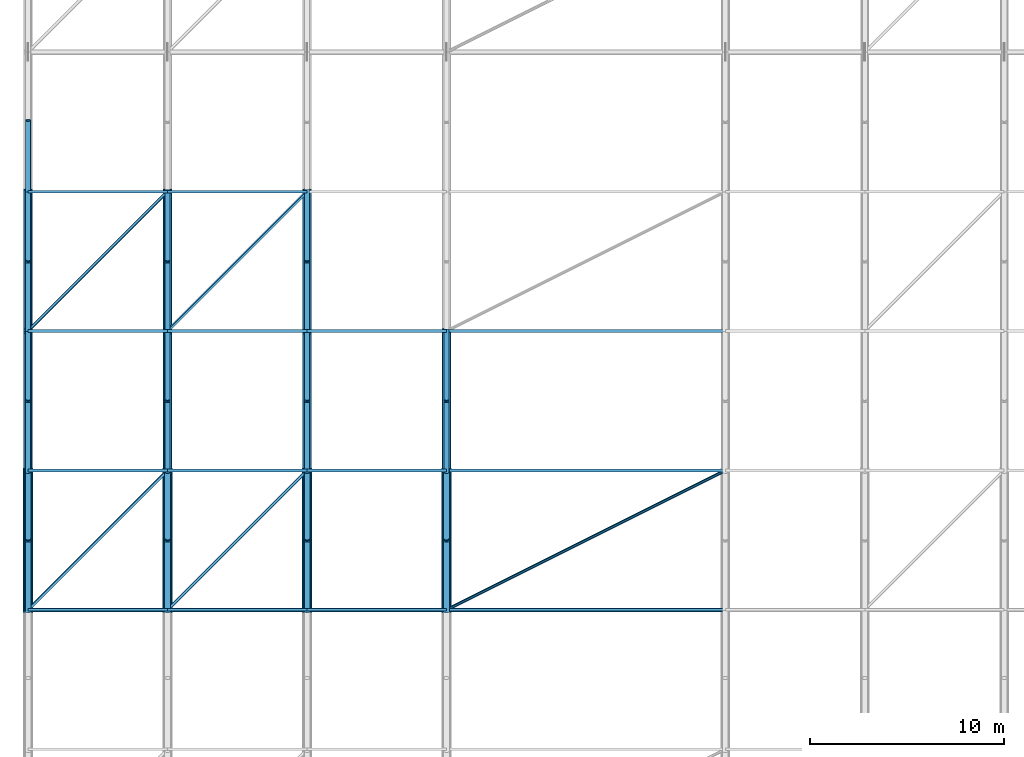
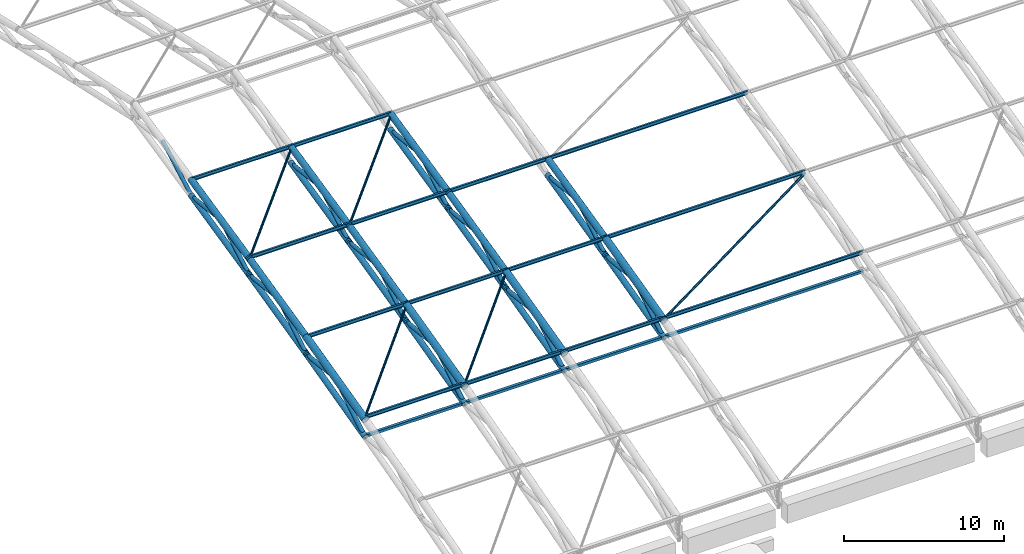
# One storey, part 40 of 193: 68 members.
"""IFC4 building model written with IfcOpenShell, lengths in metres."""

from ifc_helpers import new_model, si_unit, direction, frame, origin, origin_2d, place, context, subcontext, project, spatial, hollow_rectangle, hollow_circle, i_section, extrude, material, material_profile, profile_set, type_object, element, save


model = new_model("IFC4")

# Units and contexts
model_context = context("Model", 3, precision=1e-05, world=origin(), true_north=direction((0.0, 1.0)))
body_context = subcontext(model_context, "Body", "Model", "MODEL_VIEW")
ifc_project = project(units=[si_unit("LENGTHUNIT", "METRE"), si_unit("AREAUNIT", "SQUARE_METRE"), si_unit("VOLUMEUNIT", "CUBIC_METRE"), si_unit("PLANEANGLEUNIT", "RADIAN"), si_unit("MASSUNIT", "GRAM", prefix="KILO")], contexts=[model_context])

# Site, building, storey
site_placement = place(None, origin())
site = spatial("IfcSite", under=ifc_project, at=site_placement, CompositionType="ELEMENT")
building_placement = place(site_placement, origin())
building = spatial("IfcBuilding", under=site, at=building_placement, Name="Cendralis Lancet Convention Centre", CompositionType="ELEMENT")
storey_placement = place(building_placement, frame((0.0, 0.0, 10.199951171875)))
storey = spatial("IfcBuildingStorey", under=building, at=storey_placement, Name="L02", CompositionType="ELEMENT", Elevation=10.199951171875)

# Members
ifc_material = material(Name="Steel S355", Category="steel")
ifc_material_profile_1 = material_profile(ifc_material, hollow_circle(Radius=0.084228515625, WallThickness=0.008056640625, at=origin_2d()), Name="CHS 168.3x8.0")
ifc_profile_set_1 = profile_set([ifc_material_profile_1], Name="Steel S355")
member_type_1 = type_object("IfcMemberType", Name="STR-BR-RB01", PredefinedType="BRACE", material=ifc_profile_set_1)
member_1_placement = place(storey_placement, frame((0.0, 64.800048828125, 7.576416015625), z_axis=(0.696392758522, 0.696392758522, 0.173419294652), x_axis=(-0.707106781187, 0.707106781187, 0.0)))
element("IfcMember", 1, at=member_1_placement, inside=storey, type_object=member_type_1, Name="Roof Diaphragm Brace RB01 V1-00-02A", PredefinedType="BRACE", context=body_context, shape_type="SweptSolid", body=[
    extrude(hollow_circle(Radius=0.084228515625, WallThickness=0.008056640625, at=origin_2d()), origin(), (0.0, 0.0, 1.0), 10.3388671875),
])
member_2_placement = place(storey_placement, frame((0.0, 79.199951171875, 11.056884765625), z_axis=(0.698500909513, 0.698500909513, 0.155540859), x_axis=(-0.707106781187, 0.707106781187, 0.0)))
element("IfcMember", 2, at=member_2_placement, inside=storey, type_object=member_type_1, Name="Roof Diaphragm Brace RB01 V1-00-04A", PredefinedType="BRACE", context=body_context, shape_type="SweptSolid", body=[
    extrude(hollow_circle(Radius=0.084228515625, WallThickness=0.008056640625, at=origin_2d()), origin(), (0.0, 0.0, 1.0), 10.3076171875),
])
member_3_placement = place(storey_placement, frame((7.199951171875, 64.800048828125, 7.576416015625), z_axis=(0.696392758522, 0.696392758522, 0.173419294652), x_axis=(-0.707106781187, 0.707106781187, 0.0)))
element("IfcMember", 3, at=member_3_placement, inside=storey, type_object=member_type_1, Name="Roof Diaphragm Brace RB01 V1-01-02A", PredefinedType="BRACE", context=body_context, shape_type="SweptSolid", body=[
    extrude(hollow_circle(Radius=0.084228515625, WallThickness=0.008056640625, at=origin_2d()), origin(), (0.0, 0.0, 1.0), 10.3388671875),
])
member_4_placement = place(storey_placement, frame((7.199951171875, 79.199951171875, 11.056884765625), z_axis=(0.698500909513, 0.698500909513, 0.155540859), x_axis=(-0.707106781187, 0.707106781187, 0.0)))
element("IfcMember", 4, at=member_4_placement, inside=storey, type_object=member_type_1, Name="Roof Diaphragm Brace RB01 V1-01-04A", PredefinedType="BRACE", context=body_context, shape_type="SweptSolid", body=[
    extrude(hollow_circle(Radius=0.084228515625, WallThickness=0.008056640625, at=origin_2d()), origin(), (0.0, 0.0, 1.0), 10.3076171875),
])
member_5_placement = place(storey_placement, frame((21.60009765625, 64.800048828125, 7.576416015625), z_axis=(0.888931601342, 0.444465800671, 0.110683152152), x_axis=(-0.4472135955, 0.894427191, 0.0)))
element("IfcMember", 5, at=member_5_placement, inside=storey, type_object=member_type_1, Name="Roof Diaphragm Brace RB01 V1-03-02A", PredefinedType="BRACE", context=body_context, shape_type="SweptSolid", body=[
    extrude(hollow_circle(Radius=0.084228515625, WallThickness=0.008056640625, at=origin_2d()), origin(), (0.0, 0.0, 1.0), 16.19921875),
])
ifc_material_profile_2 = material_profile(ifc_material, hollow_rectangle(XDim=0.199951171875, YDim=0.199951171875, WallThickness=0.010009765625, at=origin_2d()), Name="SHS 200x200x10.0")
ifc_profile_set_2 = profile_set([ifc_material_profile_2], Name="Steel S355")
member_type_2 = type_object("IfcMemberType", Name="STR-BR-ST01", PredefinedType="STRUT", material=ifc_profile_set_2)
for number, where, z_axis, x_axis, name in (
    (6, (0.0, 64.800048828125, 6.2509765625), (1.0, 0.0, 0.0), (0.0, 1.0, 0.0), "Arch Tie Strut ST01 V1-00-02"),
    (7, (7.199951171875, 64.800048828125, 6.2509765625), (1.0, 0.0, 0.0), (0.0, 1.0, 0.0), "Arch Tie Strut ST01 V1-01-02"),
):
    element("IfcMember", number, at=place(storey_placement, frame(where, z_axis=z_axis, x_axis=x_axis)), inside=storey, type_object=member_type_2, Name=name, PredefinedType="STRUT", context=body_context, shape_type="SweptSolid", body=[
        extrude(hollow_rectangle(XDim=0.199951171875, YDim=0.199951171875, WallThickness=0.010009765625, at=origin_2d()), origin(), (0.0, 0.0, 1.0), 7.199951171875),
    ])
member_6_placement = place(storey_placement, frame((14.39990234375, 64.800048828125, 6.2509765625), z_axis=(1.0, 0.0, 0.0), x_axis=(0.0, 1.0, 0.0)))
element("IfcMember", 8, at=member_6_placement, inside=storey, type_object=member_type_2, Name="Arch Tie Strut ST01 V1-02-02", PredefinedType="STRUT", context=body_context, shape_type="SweptSolid", body=[
    extrude(hollow_rectangle(XDim=0.199951171875, YDim=0.199951171875, WallThickness=0.010009765625, at=origin_2d()), origin(), (0.0, 0.0, 1.0), 7.2001953125),
])
member_7_placement = place(storey_placement, frame((21.60009765625, 64.800048828125, 6.2509765625), z_axis=(1.0, 0.0, 0.0), x_axis=(0.0, 1.0, 0.0)))
element("IfcMember", 9, at=member_7_placement, inside=storey, type_object=member_type_2, Name="Arch Tie Strut ST01 V1-03-02", PredefinedType="STRUT", context=body_context, shape_type="SweptSolid", body=[
    extrude(hollow_rectangle(XDim=0.199951171875, YDim=0.199951171875, WallThickness=0.010009765625, at=origin_2d()), origin(), (0.0, 0.0, 1.0), 14.39990234375),
])
ifc_material_profile_3 = material_profile(ifc_material, i_section(OverallWidth=0.135009765625, OverallDepth=0.27001953125, WebThickness=0.006591796875, FlangeThickness=0.01025390625, FilletRadius=0.014892578125, at=origin_2d()), Name="IPE 270")
ifc_profile_set_3 = profile_set([ifc_material_profile_3], Name="Steel S355")
member_type_3 = type_object("IfcMemberType", Name="STR-PR-PR01", PredefinedType="PURLIN", material=ifc_profile_set_3)
for number, where, z_axis, x_axis, name in (
    (10, (0.0, 64.800048828125, 7.69140625), (1.0, 0.0, 0.0), (0.0, 1.0, 0.0), "Vault Roof Purlin PR01 V1-00-02"),
    (11, (0.0, 72.0, 9.484375), (1.0, 0.0, 0.0), (0.0, 1.0, 0.0), "Vault Roof Purlin PR01 V1-00-03"),
    (12, (0.0, 79.199951171875, 11.171875), (1.0, 0.0, 0.0), (0.0, 1.0, 0.0), "Vault Roof Purlin PR01 V1-00-04"),
    (13, (0.0, 86.39990234375, 12.775146484375), (1.0, 0.0, 0.0), (0.0, 1.0, 0.0), "Vault Roof Purlin PR01 V1-00-05"),
    (14, (7.199951171875, 64.800048828125, 7.69140625), (1.0, 0.0, 0.0), (0.0, 1.0, 0.0), "Vault Roof Purlin PR01 V1-01-02"),
    (15, (7.199951171875, 72.0, 9.484375), (1.0, 0.0, 0.0), (0.0, 1.0, 0.0), "Vault Roof Purlin PR01 V1-01-03"),
    (16, (7.199951171875, 79.199951171875, 11.171875), (1.0, 0.0, 0.0), (0.0, 1.0, 0.0), "Vault Roof Purlin PR01 V1-01-04"),
    (17, (7.199951171875, 86.39990234375, 12.775146484375), (1.0, 0.0, 0.0), (0.0, 1.0, 0.0), "Vault Roof Purlin PR01 V1-01-05"),
):
    element("IfcMember", number, at=place(storey_placement, frame(where, z_axis=z_axis, x_axis=x_axis)), inside=storey, type_object=member_type_3, Name=name, PredefinedType="PURLIN", context=body_context, shape_type="SweptSolid", body=[
        extrude(i_section(OverallWidth=0.135009765625, OverallDepth=0.27001953125, WebThickness=0.006591796875, FlangeThickness=0.01025390625, FilletRadius=0.014892578125, at=origin_2d()), origin(), (0.0, 0.0, 1.0), 7.199951171875),
    ])
for number, where, z_axis, x_axis, name in (
    (18, (14.39990234375, 64.800048828125, 7.69140625), (1.0, 0.0, 0.0), (0.0, 1.0, 0.0), "Vault Roof Purlin PR01 V1-02-02"),
    (19, (14.39990234375, 72.0, 9.484375), (1.0, 0.0, 0.0), (0.0, 1.0, 0.0), "Vault Roof Purlin PR01 V1-02-03"),
    (20, (14.39990234375, 79.199951171875, 11.171875), (1.0, 0.0, 0.0), (0.0, 1.0, 0.0), "Vault Roof Purlin PR01 V1-02-04"),
):
    element("IfcMember", number, at=place(storey_placement, frame(where, z_axis=z_axis, x_axis=x_axis)), inside=storey, type_object=member_type_3, Name=name, PredefinedType="PURLIN", context=body_context, shape_type="SweptSolid", body=[
        extrude(i_section(OverallWidth=0.135009765625, OverallDepth=0.27001953125, WebThickness=0.006591796875, FlangeThickness=0.01025390625, FilletRadius=0.014892578125, at=origin_2d()), origin(), (0.0, 0.0, 1.0), 7.2001953125),
    ])
for number, where, z_axis, x_axis, name in (
    (21, (21.60009765625, 64.800048828125, 7.69140625), (1.0, 0.0, 0.0), (0.0, 1.0, 0.0), "Vault Roof Purlin PR01 V1-03-02"),
    (22, (21.60009765625, 72.0, 9.484375), (1.0, 0.0, 0.0), (0.0, 1.0, 0.0), "Vault Roof Purlin PR01 V1-03-03"),
    (23, (21.60009765625, 79.199951171875, 11.171875), (1.0, 0.0, 0.0), (0.0, 1.0, 0.0), "Vault Roof Purlin PR01 V1-03-04"),
):
    element("IfcMember", number, at=place(storey_placement, frame(where, z_axis=z_axis, x_axis=x_axis)), inside=storey, type_object=member_type_3, Name=name, PredefinedType="PURLIN", context=body_context, shape_type="SweptSolid", body=[
        extrude(i_section(OverallWidth=0.135009765625, OverallDepth=0.27001953125, WebThickness=0.006591796875, FlangeThickness=0.01025390625, FilletRadius=0.014892578125, at=origin_2d()), origin(), (0.0, 0.0, 1.0), 14.39990234375),
    ])
ifc_material_profile_4 = material_profile(ifc_material, hollow_circle(Radius=0.203125, WallThickness=0.01611328125, at=origin_2d()), Name="CHS 406.4x16.0")
ifc_profile_set_4 = profile_set([ifc_material_profile_4], Name="Steel S355")
member_type_4 = type_object("IfcMemberType", Name="STR-TR-BC01", PredefinedType="CHORD", material=ifc_profile_set_4)
member_8_placement = place(storey_placement, frame((0.0, 64.68359375, 6.221435546875), z_axis=(0.0, 0.969168531094, 0.246398779092), x_axis=(-1.0, 0.0, 0.0)))
element("IfcMember", 24, at=member_8_placement, inside=storey, type_object=member_type_4, Name="ROOF TRUSS AT-V1-01 Bottom Chord 02", PredefinedType="CHORD", context=body_context, shape_type="SweptSolid", body=[
    extrude(hollow_circle(Radius=0.203125, WallThickness=0.01611328125, at=origin_2d()), origin(), (0.0, 0.0, 1.0), 7.6689453125),
])
member_9_placement = place(storey_placement, frame((0.0, 71.88330078125, 8.053466796875), z_axis=(0.0, 0.97248347478, 0.232971868002), x_axis=(-1.0, 0.0, 0.0)))
element("IfcMember", 25, at=member_9_placement, inside=storey, type_object=member_type_4, Name="ROOF TRUSS AT-V1-01 Bottom Chord 03", PredefinedType="CHORD", context=body_context, shape_type="SweptSolid", body=[
    extrude(hollow_circle(Radius=0.203125, WallThickness=0.01611328125, at=origin_2d()), origin(), (0.0, 0.0, 1.0), 7.643798828125),
])
member_10_placement = place(storey_placement, frame((0.0, 79.0830078125, 9.779541015625), z_axis=(0.0, 0.975004361287, 0.222185722922), x_axis=(-1.0, 0.0, 0.0)))
element("IfcMember", 26, at=member_10_placement, inside=storey, type_object=member_type_4, Name="ROOF TRUSS AT-V1-01 Bottom Chord 04", PredefinedType="CHORD", context=body_context, shape_type="SweptSolid", body=[
    extrude(hollow_circle(Radius=0.203125, WallThickness=0.01611328125, at=origin_2d()), origin(), (0.0, 0.0, 1.0), 7.624755859375),
])
ifc_material_profile_5 = material_profile(ifc_material, hollow_circle(Radius=0.203125, WallThickness=0.01611328125, at=origin_2d()), Name="CHS 406.4x16.0")
ifc_profile_set_5 = profile_set([ifc_material_profile_5], Name="Steel S355")
member_type_5 = type_object("IfcMemberType", Name="STR-TR-BC01-INT", PredefinedType="CHORD", material=ifc_profile_set_5)
member_11_placement = place(storey_placement, frame((7.199951171875, 64.68359375, 6.221435546875), z_axis=(0.0, 0.969168531094, 0.246398779092), x_axis=(-1.0, 0.0, 0.0)))
element("IfcMember", 27, at=member_11_placement, inside=storey, type_object=member_type_5, Name="ROOF TRUSS AT-V1-02 Bottom Chord 02", PredefinedType="CHORD", context=body_context, shape_type="SweptSolid", body=[
    extrude(hollow_circle(Radius=0.203125, WallThickness=0.01611328125, at=origin_2d()), origin(), (0.0, 0.0, 1.0), 7.6689453125),
])
member_12_placement = place(storey_placement, frame((7.199951171875, 71.88330078125, 8.053466796875), z_axis=(0.0, 0.97248347478, 0.232971868002), x_axis=(-1.0, 0.0, 0.0)))
element("IfcMember", 28, at=member_12_placement, inside=storey, type_object=member_type_5, Name="ROOF TRUSS AT-V1-02 Bottom Chord 03", PredefinedType="CHORD", context=body_context, shape_type="SweptSolid", body=[
    extrude(hollow_circle(Radius=0.203125, WallThickness=0.01611328125, at=origin_2d()), origin(), (0.0, 0.0, 1.0), 7.643798828125),
])
member_13_placement = place(storey_placement, frame((7.199951171875, 79.0830078125, 9.779541015625), z_axis=(0.0, 0.975004361287, 0.222185722922), x_axis=(-1.0, 0.0, 0.0)))
element("IfcMember", 29, at=member_13_placement, inside=storey, type_object=member_type_5, Name="ROOF TRUSS AT-V1-02 Bottom Chord 04", PredefinedType="CHORD", context=body_context, shape_type="SweptSolid", body=[
    extrude(hollow_circle(Radius=0.203125, WallThickness=0.01611328125, at=origin_2d()), origin(), (0.0, 0.0, 1.0), 7.624755859375),
])
member_14_placement = place(storey_placement, frame((14.39990234375, 64.68359375, 6.221435546875), z_axis=(0.0, 0.969168531094, 0.246398779092), x_axis=(-1.0, 0.0, 0.0)))
element("IfcMember", 30, at=member_14_placement, inside=storey, type_object=member_type_5, Name="ROOF TRUSS AT-V1-03 Bottom Chord 02", PredefinedType="CHORD", context=body_context, shape_type="SweptSolid", body=[
    extrude(hollow_circle(Radius=0.203125, WallThickness=0.01611328125, at=origin_2d()), origin(), (0.0, 0.0, 1.0), 7.6689453125),
])
member_15_placement = place(storey_placement, frame((14.39990234375, 71.88330078125, 8.053466796875), z_axis=(0.0, 0.97248347478, 0.232971868002), x_axis=(-1.0, 0.0, 0.0)))
element("IfcMember", 31, at=member_15_placement, inside=storey, type_object=member_type_5, Name="ROOF TRUSS AT-V1-03 Bottom Chord 03", PredefinedType="CHORD", context=body_context, shape_type="SweptSolid", body=[
    extrude(hollow_circle(Radius=0.203125, WallThickness=0.01611328125, at=origin_2d()), origin(), (0.0, 0.0, 1.0), 7.643798828125),
])
member_16_placement = place(storey_placement, frame((14.39990234375, 79.0830078125, 9.779541015625), z_axis=(0.0, 0.975004361287, 0.222185722922), x_axis=(-1.0, 0.0, 0.0)))
element("IfcMember", 32, at=member_16_placement, inside=storey, type_object=member_type_5, Name="ROOF TRUSS AT-V1-03 Bottom Chord 04", PredefinedType="CHORD", context=body_context, shape_type="SweptSolid", body=[
    extrude(hollow_circle(Radius=0.203125, WallThickness=0.01611328125, at=origin_2d()), origin(), (0.0, 0.0, 1.0), 7.624755859375),
])
member_17_placement = place(storey_placement, frame((21.60009765625, 64.68359375, 6.221435546875), z_axis=(0.0, 0.969168531094, 0.246398779092), x_axis=(-1.0, 0.0, 0.0)))
element("IfcMember", 33, at=member_17_placement, inside=storey, type_object=member_type_5, Name="ROOF TRUSS AT-V1-04 Bottom Chord 02", PredefinedType="CHORD", context=body_context, shape_type="SweptSolid", body=[
    extrude(hollow_circle(Radius=0.203125, WallThickness=0.01611328125, at=origin_2d()), origin(), (0.0, 0.0, 1.0), 7.6689453125),
])
member_18_placement = place(storey_placement, frame((21.60009765625, 71.88330078125, 8.053466796875), z_axis=(0.0, 0.97248347478, 0.232971868002), x_axis=(-1.0, 0.0, 0.0)))
element("IfcMember", 34, at=member_18_placement, inside=storey, type_object=member_type_5, Name="ROOF TRUSS AT-V1-04 Bottom Chord 03", PredefinedType="CHORD", context=body_context, shape_type="SweptSolid", body=[
    extrude(hollow_circle(Radius=0.203125, WallThickness=0.01611328125, at=origin_2d()), origin(), (0.0, 0.0, 1.0), 7.643798828125),
])
ifc_material_profile_6 = material_profile(ifc_material, hollow_circle(Radius=0.25390625, WallThickness=0.02001953125, at=origin_2d()), Name="CHS 508.0x20.0")
ifc_profile_set_6 = profile_set([ifc_material_profile_6], Name="Steel S355")
member_type_6 = type_object("IfcMemberType", Name="STR-TR-TC01", PredefinedType="CHORD", material=ifc_profile_set_6)
member_19_placement = place(storey_placement, frame((0.0, 64.68359375, 7.54736328125), z_axis=(0.0, 0.97036146187, 0.241658091769), x_axis=(-1.0, 0.0, 0.0)))
element("IfcMember", 35, at=member_19_placement, inside=storey, type_object=member_type_6, Name="ROOF TRUSS AT-V1-01 Top Chord 02", PredefinedType="CHORD", context=body_context, shape_type="SweptSolid", body=[
    extrude(hollow_circle(Radius=0.25390625, WallThickness=0.02001953125, at=origin_2d()), origin(), (0.0, 0.0, 1.0), 7.659912109375),
])
ifc_material_profile_7 = material_profile(ifc_material, hollow_circle(Radius=0.25390625, WallThickness=0.02001953125, at=origin_2d()), Name="CHS 508.0x20.0")
ifc_profile_set_7 = profile_set([ifc_material_profile_7], Name="Steel S355")
member_type_7 = type_object("IfcMemberType", Name="STR-TR-TC01-INT", PredefinedType="CHORD", material=ifc_profile_set_7)
for number, where, z_axis, x_axis, name in (
    (36, (7.199951171875, 64.68359375, 7.54736328125), (0.0, 0.97036146187, 0.241658091769), (-1.0, 0.0, 0.0), "ROOF TRUSS AT-V1-02 Top Chord 02"),
    (37, (14.39990234375, 64.68359375, 7.54736328125), (0.0, 0.97036146187, 0.241658091769), (-1.0, 0.0, 0.0), "ROOF TRUSS AT-V1-03 Top Chord 02"),
    (38, (21.60009765625, 64.68359375, 7.54736328125), (0.0, 0.97036146187, 0.241658091769), (-1.0, 0.0, 0.0), "ROOF TRUSS AT-V1-04 Top Chord 02"),
):
    element("IfcMember", number, at=place(storey_placement, frame(where, z_axis=z_axis, x_axis=x_axis)), inside=storey, type_object=member_type_7, Name=name, PredefinedType="CHORD", context=body_context, shape_type="SweptSolid", body=[
        extrude(hollow_circle(Radius=0.25390625, WallThickness=0.02001953125, at=origin_2d()), origin(), (0.0, 0.0, 1.0), 7.659912109375),
    ])
ifc_material_profile_8 = material_profile(ifc_material, hollow_circle(Radius=0.228515625, WallThickness=0.02001953125, at=origin_2d()), Name="CHS 457.0x20.0")
ifc_profile_set_8 = profile_set([ifc_material_profile_8], Name="Steel S355")
member_type_8 = type_object("IfcMemberType", Name="STR-TR-TC01B", PredefinedType="CHORD", material=ifc_profile_set_8)
member_20_placement = place(storey_placement, frame((0.0, 71.88330078125, 9.342041015625), z_axis=(0.0, 0.973618086595, 0.22818374494), x_axis=(-1.0, 0.0, 0.0)))
element("IfcMember", 39, at=member_20_placement, inside=storey, type_object=member_type_8, Name="ROOF TRUSS AT-V1-01 Top Chord 03", PredefinedType="CHORD", context=body_context, shape_type="SweptSolid", body=[
    extrude(hollow_circle(Radius=0.228515625, WallThickness=0.02001953125, at=origin_2d()), origin(), (0.0, 0.0, 1.0), 7.635009765625),
])
member_21_placement = place(storey_placement, frame((0.0, 79.0830078125, 11.03076171875), z_axis=(0.0, 0.976089664154, 0.217368276277), x_axis=(-1.0, 0.0, 0.0)))
element("IfcMember", 40, at=member_21_placement, inside=storey, type_object=member_type_8, Name="ROOF TRUSS AT-V1-01 Top Chord 04", PredefinedType="CHORD", context=body_context, shape_type="SweptSolid", body=[
    extrude(hollow_circle(Radius=0.228515625, WallThickness=0.02001953125, at=origin_2d()), origin(), (0.0, 0.0, 1.0), 7.6162109375),
])
ifc_material_profile_9 = material_profile(ifc_material, hollow_circle(Radius=0.228515625, WallThickness=0.02001953125, at=origin_2d()), Name="CHS 457.0x20.0")
ifc_profile_set_9 = profile_set([ifc_material_profile_9], Name="Steel S355")
member_type_9 = type_object("IfcMemberType", Name="STR-TR-TC01B-INT", PredefinedType="CHORD", material=ifc_profile_set_9)
member_22_placement = place(storey_placement, frame((7.199951171875, 71.88330078125, 9.342041015625), z_axis=(0.0, 0.973618086595, 0.22818374494), x_axis=(-1.0, 0.0, 0.0)))
element("IfcMember", 41, at=member_22_placement, inside=storey, type_object=member_type_9, Name="ROOF TRUSS AT-V1-02 Top Chord 03", PredefinedType="CHORD", context=body_context, shape_type="SweptSolid", body=[
    extrude(hollow_circle(Radius=0.228515625, WallThickness=0.02001953125, at=origin_2d()), origin(), (0.0, 0.0, 1.0), 7.635009765625),
])
member_23_placement = place(storey_placement, frame((7.199951171875, 79.0830078125, 11.03076171875), z_axis=(0.0, 0.976089664154, 0.217368276277), x_axis=(-1.0, 0.0, 0.0)))
element("IfcMember", 42, at=member_23_placement, inside=storey, type_object=member_type_9, Name="ROOF TRUSS AT-V1-02 Top Chord 04", PredefinedType="CHORD", context=body_context, shape_type="SweptSolid", body=[
    extrude(hollow_circle(Radius=0.228515625, WallThickness=0.02001953125, at=origin_2d()), origin(), (0.0, 0.0, 1.0), 7.6162109375),
])
member_24_placement = place(storey_placement, frame((14.39990234375, 71.88330078125, 9.342041015625), z_axis=(0.0, 0.973618086595, 0.22818374494), x_axis=(-1.0, 0.0, 0.0)))
element("IfcMember", 43, at=member_24_placement, inside=storey, type_object=member_type_9, Name="ROOF TRUSS AT-V1-03 Top Chord 03", PredefinedType="CHORD", context=body_context, shape_type="SweptSolid", body=[
    extrude(hollow_circle(Radius=0.228515625, WallThickness=0.02001953125, at=origin_2d()), origin(), (0.0, 0.0, 1.0), 7.635009765625),
])
member_25_placement = place(storey_placement, frame((14.39990234375, 79.0830078125, 11.03076171875), z_axis=(0.0, 0.976089664154, 0.217368276277), x_axis=(-1.0, 0.0, 0.0)))
element("IfcMember", 44, at=member_25_placement, inside=storey, type_object=member_type_9, Name="ROOF TRUSS AT-V1-03 Top Chord 04", PredefinedType="CHORD", context=body_context, shape_type="SweptSolid", body=[
    extrude(hollow_circle(Radius=0.228515625, WallThickness=0.02001953125, at=origin_2d()), origin(), (0.0, 0.0, 1.0), 7.6162109375),
])
member_26_placement = place(storey_placement, frame((21.60009765625, 71.88330078125, 9.342041015625), z_axis=(0.0, 0.973618086595, 0.22818374494), x_axis=(-1.0, 0.0, 0.0)))
element("IfcMember", 45, at=member_26_placement, inside=storey, type_object=member_type_9, Name="ROOF TRUSS AT-V1-04 Top Chord 03", PredefinedType="CHORD", context=body_context, shape_type="SweptSolid", body=[
    extrude(hollow_circle(Radius=0.228515625, WallThickness=0.02001953125, at=origin_2d()), origin(), (0.0, 0.0, 1.0), 7.635009765625),
])
ifc_material_profile_10 = material_profile(ifc_material, hollow_circle(Radius=0.149169921875, WallThickness=0.012451171875, at=origin_2d()), Name="CHS 298.5x12.5")
ifc_profile_set_10 = profile_set([ifc_material_profile_10], Name="Steel S355")
member_type_10 = type_object("IfcMemberType", Name="STR-TR-WD01", PredefinedType="BRACE", material=ifc_profile_set_10)
member_27_placement = place(storey_placement, frame((0.0, 64.71484375, 6.198486328125), z_axis=(0.0, 0.850978373815, 0.525200730482), x_axis=(-1.0, 0.0, 0.0)))
element("IfcMember", 46, at=member_27_placement, inside=storey, type_object=member_type_10, Name="ROOF TRUSS AT-V1-01 Warren Web 02-0", PredefinedType="BRACE", context=body_context, shape_type="SweptSolid", body=[
    extrude(hollow_circle(Radius=0.149169921875, WallThickness=0.012451171875, at=origin_2d()), origin(), (0.0, 0.0, 1.0), 4.430419921875),
])
member_28_placement = place(storey_placement, frame((0.0, 68.300537109375, 8.483642578125), z_axis=(0.0, 0.994139687453, -0.108103107402), x_axis=(-1.0, 0.0, 0.0)))
element("IfcMember", 47, at=member_28_placement, inside=storey, type_object=member_type_10, Name="ROOF TRUSS AT-V1-01 Warren Web 02-1", PredefinedType="BRACE", context=body_context, shape_type="SweptSolid", body=[
    extrude(hollow_circle(Radius=0.149169921875, WallThickness=0.012451171875, at=origin_2d()), origin(), (0.0, 0.0, 1.0), 3.8212890625),
])
ifc_material_profile_11 = material_profile(ifc_material, hollow_circle(Radius=0.149169921875, WallThickness=0.012451171875, at=origin_2d()), Name="CHS 298.5x12.5")
ifc_profile_set_11 = profile_set([ifc_material_profile_11], Name="Steel S355")
member_type_11 = type_object("IfcMemberType", Name="STR-TR-WD01-INT", PredefinedType="BRACE", material=ifc_profile_set_11)
member_29_placement = place(storey_placement, frame((7.199951171875, 64.71484375, 6.198486328125), z_axis=(0.0, 0.850978373815, 0.525200730482), x_axis=(-1.0, 0.0, 0.0)))
element("IfcMember", 48, at=member_29_placement, inside=storey, type_object=member_type_11, Name="ROOF TRUSS AT-V1-02 Warren Web 02-0", PredefinedType="BRACE", context=body_context, shape_type="SweptSolid", body=[
    extrude(hollow_circle(Radius=0.149169921875, WallThickness=0.012451171875, at=origin_2d()), origin(), (0.0, 0.0, 1.0), 4.430419921875),
])
member_30_placement = place(storey_placement, frame((7.199951171875, 68.300537109375, 8.483642578125), z_axis=(0.0, 0.994139687453, -0.108103107402), x_axis=(-1.0, 0.0, 0.0)))
element("IfcMember", 49, at=member_30_placement, inside=storey, type_object=member_type_11, Name="ROOF TRUSS AT-V1-02 Warren Web 02-1", PredefinedType="BRACE", context=body_context, shape_type="SweptSolid", body=[
    extrude(hollow_circle(Radius=0.149169921875, WallThickness=0.012451171875, at=origin_2d()), origin(), (0.0, 0.0, 1.0), 3.8212890625),
])
member_31_placement = place(storey_placement, frame((14.39990234375, 64.71484375, 6.198486328125), z_axis=(0.0, 0.850978373815, 0.525200730482), x_axis=(-1.0, 0.0, 0.0)))
element("IfcMember", 50, at=member_31_placement, inside=storey, type_object=member_type_11, Name="ROOF TRUSS AT-V1-03 Warren Web 02-0", PredefinedType="BRACE", context=body_context, shape_type="SweptSolid", body=[
    extrude(hollow_circle(Radius=0.149169921875, WallThickness=0.012451171875, at=origin_2d()), origin(), (0.0, 0.0, 1.0), 4.430419921875),
])
member_32_placement = place(storey_placement, frame((14.39990234375, 68.300537109375, 8.483642578125), z_axis=(0.0, 0.994139687453, -0.108103107402), x_axis=(-1.0, 0.0, 0.0)))
element("IfcMember", 51, at=member_32_placement, inside=storey, type_object=member_type_11, Name="ROOF TRUSS AT-V1-03 Warren Web 02-1", PredefinedType="BRACE", context=body_context, shape_type="SweptSolid", body=[
    extrude(hollow_circle(Radius=0.149169921875, WallThickness=0.012451171875, at=origin_2d()), origin(), (0.0, 0.0, 1.0), 3.8212890625),
])
member_33_placement = place(storey_placement, frame((21.60009765625, 64.71484375, 6.198486328125), z_axis=(0.0, 0.850978373815, 0.525200730482), x_axis=(-1.0, 0.0, 0.0)))
element("IfcMember", 52, at=member_33_placement, inside=storey, type_object=member_type_11, Name="ROOF TRUSS AT-V1-04 Warren Web 02-0", PredefinedType="BRACE", context=body_context, shape_type="SweptSolid", body=[
    extrude(hollow_circle(Radius=0.149169921875, WallThickness=0.012451171875, at=origin_2d()), origin(), (0.0, 0.0, 1.0), 4.430419921875),
])
member_34_placement = place(storey_placement, frame((21.60009765625, 68.300537109375, 8.483642578125), z_axis=(0.0, 0.994139687453, -0.108103107402), x_axis=(-1.0, 0.0, 0.0)))
element("IfcMember", 53, at=member_34_placement, inside=storey, type_object=member_type_11, Name="ROOF TRUSS AT-V1-04 Warren Web 02-1", PredefinedType="BRACE", context=body_context, shape_type="SweptSolid", body=[
    extrude(hollow_circle(Radius=0.149169921875, WallThickness=0.012451171875, at=origin_2d()), origin(), (0.0, 0.0, 1.0), 3.8212890625),
])
ifc_material_profile_12 = material_profile(ifc_material, hollow_circle(Radius=0.136474609375, WallThickness=0.012451171875, at=origin_2d()), Name="CHS 273.0x12.5")
ifc_profile_set_12 = profile_set([ifc_material_profile_12], Name="Steel S355")
member_type_12 = type_object("IfcMemberType", Name="STR-TR-WD01B", PredefinedType="BRACE", material=ifc_profile_set_12)
member_35_placement = place(storey_placement, frame((0.0, 71.9140625, 8.030517578125), z_axis=(0.0, 0.860451614668, 0.509532156802), x_axis=(-1.0, 0.0, 0.0)))
element("IfcMember", 54, at=member_35_placement, inside=storey, type_object=member_type_12, Name="ROOF TRUSS AT-V1-01 Warren Web 03-0", PredefinedType="BRACE", context=body_context, shape_type="SweptSolid", body=[
    extrude(hollow_circle(Radius=0.136474609375, WallThickness=0.012451171875, at=origin_2d()), origin(), (0.0, 0.0, 1.0), 4.3837890625),
])
member_36_placement = place(storey_placement, frame((0.0, 75.50048828125, 10.224365234375), z_axis=(0.0, 0.993677994269, -0.112267732257), x_axis=(-1.0, 0.0, 0.0)))
element("IfcMember", 55, at=member_36_placement, inside=storey, type_object=member_type_12, Name="ROOF TRUSS AT-V1-01 Warren Web 03-1", PredefinedType="BRACE", context=body_context, shape_type="SweptSolid", body=[
    extrude(hollow_circle(Radius=0.136474609375, WallThickness=0.012451171875, at=origin_2d()), origin(), (0.0, 0.0, 1.0), 3.822998046875),
])
member_37_placement = place(storey_placement, frame((0.0, 79.113037109375, 9.7568359375), z_axis=(0.0, 0.86877872096, 0.495200498795), x_axis=(-1.0, 0.0, 0.0)))
element("IfcMember", 56, at=member_37_placement, inside=storey, type_object=member_type_12, Name="ROOF TRUSS AT-V1-01 Warren Web 04-0", PredefinedType="BRACE", context=body_context, shape_type="SweptSolid", body=[
    extrude(hollow_circle(Radius=0.136474609375, WallThickness=0.012451171875, at=origin_2d()), origin(), (0.0, 0.0, 1.0), 4.343994140625),
])
member_38_placement = place(storey_placement, frame((0.0, 82.70068359375, 11.869873046875), z_axis=(0.0, 0.993527526481, -0.113591611157), x_axis=(-1.0, 0.0, 0.0)))
element("IfcMember", 57, at=member_38_placement, inside=storey, type_object=member_type_12, Name="ROOF TRUSS AT-V1-01 Warren Web 04-1", PredefinedType="BRACE", context=body_context, shape_type="SweptSolid", body=[
    extrude(hollow_circle(Radius=0.136474609375, WallThickness=0.012451171875, at=origin_2d()), origin(), (0.0, 0.0, 1.0), 3.823486328125),
])
member_39_placement = place(storey_placement, frame((0.0, 86.3125, 11.3984375), z_axis=(0.0, 0.875872457449, 0.48254268027), x_axis=(-1.0, 0.0, 0.0)))
element("IfcMember", 58, at=member_39_placement, inside=storey, type_object=member_type_12, Name="ROOF TRUSS AT-V1-01 Warren Web 05-0", PredefinedType="BRACE", context=body_context, shape_type="SweptSolid", body=[
    extrude(hollow_circle(Radius=0.136474609375, WallThickness=0.012451171875, at=origin_2d()), origin(), (0.0, 0.0, 1.0), 4.31005859375),
])
ifc_material_profile_13 = material_profile(ifc_material, hollow_circle(Radius=0.136474609375, WallThickness=0.012451171875, at=origin_2d()), Name="CHS 273.0x12.5")
ifc_profile_set_13 = profile_set([ifc_material_profile_13], Name="Steel S355")
member_type_13 = type_object("IfcMemberType", Name="STR-TR-WD01B-INT", PredefinedType="BRACE", material=ifc_profile_set_13)
member_40_placement = place(storey_placement, frame((7.199951171875, 71.9140625, 8.030517578125), z_axis=(0.0, 0.860451614668, 0.509532156802), x_axis=(-1.0, 0.0, 0.0)))
element("IfcMember", 59, at=member_40_placement, inside=storey, type_object=member_type_13, Name="ROOF TRUSS AT-V1-02 Warren Web 03-0", PredefinedType="BRACE", context=body_context, shape_type="SweptSolid", body=[
    extrude(hollow_circle(Radius=0.136474609375, WallThickness=0.012451171875, at=origin_2d()), origin(), (0.0, 0.0, 1.0), 4.3837890625),
])
member_41_placement = place(storey_placement, frame((7.199951171875, 75.50048828125, 10.224365234375), z_axis=(0.0, 0.993677994269, -0.112267732257), x_axis=(-1.0, 0.0, 0.0)))
element("IfcMember", 60, at=member_41_placement, inside=storey, type_object=member_type_13, Name="ROOF TRUSS AT-V1-02 Warren Web 03-1", PredefinedType="BRACE", context=body_context, shape_type="SweptSolid", body=[
    extrude(hollow_circle(Radius=0.136474609375, WallThickness=0.012451171875, at=origin_2d()), origin(), (0.0, 0.0, 1.0), 3.822998046875),
])
member_42_placement = place(storey_placement, frame((7.199951171875, 79.113037109375, 9.7568359375), z_axis=(0.0, 0.86877872096, 0.495200498795), x_axis=(-1.0, 0.0, 0.0)))
element("IfcMember", 61, at=member_42_placement, inside=storey, type_object=member_type_13, Name="ROOF TRUSS AT-V1-02 Warren Web 04-0", PredefinedType="BRACE", context=body_context, shape_type="SweptSolid", body=[
    extrude(hollow_circle(Radius=0.136474609375, WallThickness=0.012451171875, at=origin_2d()), origin(), (0.0, 0.0, 1.0), 4.343994140625),
])
member_43_placement = place(storey_placement, frame((7.199951171875, 82.70068359375, 11.869873046875), z_axis=(0.0, 0.993527526481, -0.113591611157), x_axis=(-1.0, 0.0, 0.0)))
element("IfcMember", 62, at=member_43_placement, inside=storey, type_object=member_type_13, Name="ROOF TRUSS AT-V1-02 Warren Web 04-1", PredefinedType="BRACE", context=body_context, shape_type="SweptSolid", body=[
    extrude(hollow_circle(Radius=0.136474609375, WallThickness=0.012451171875, at=origin_2d()), origin(), (0.0, 0.0, 1.0), 3.823486328125),
])
member_44_placement = place(storey_placement, frame((14.39990234375, 71.9140625, 8.030517578125), z_axis=(0.0, 0.860451614668, 0.509532156802), x_axis=(-1.0, 0.0, 0.0)))
element("IfcMember", 63, at=member_44_placement, inside=storey, type_object=member_type_13, Name="ROOF TRUSS AT-V1-03 Warren Web 03-0", PredefinedType="BRACE", context=body_context, shape_type="SweptSolid", body=[
    extrude(hollow_circle(Radius=0.136474609375, WallThickness=0.012451171875, at=origin_2d()), origin(), (0.0, 0.0, 1.0), 4.3837890625),
])
member_45_placement = place(storey_placement, frame((14.39990234375, 75.50048828125, 10.224365234375), z_axis=(0.0, 0.993677994269, -0.112267732257), x_axis=(-1.0, 0.0, 0.0)))
element("IfcMember", 64, at=member_45_placement, inside=storey, type_object=member_type_13, Name="ROOF TRUSS AT-V1-03 Warren Web 03-1", PredefinedType="BRACE", context=body_context, shape_type="SweptSolid", body=[
    extrude(hollow_circle(Radius=0.136474609375, WallThickness=0.012451171875, at=origin_2d()), origin(), (0.0, 0.0, 1.0), 3.822998046875),
])
member_46_placement = place(storey_placement, frame((14.39990234375, 79.113037109375, 9.7568359375), z_axis=(0.0, 0.86877872096, 0.495200498795), x_axis=(-1.0, 0.0, 0.0)))
element("IfcMember", 65, at=member_46_placement, inside=storey, type_object=member_type_13, Name="ROOF TRUSS AT-V1-03 Warren Web 04-0", PredefinedType="BRACE", context=body_context, shape_type="SweptSolid", body=[
    extrude(hollow_circle(Radius=0.136474609375, WallThickness=0.012451171875, at=origin_2d()), origin(), (0.0, 0.0, 1.0), 4.343994140625),
])
member_47_placement = place(storey_placement, frame((14.39990234375, 82.70068359375, 11.869873046875), z_axis=(0.0, 0.993527526481, -0.113591611157), x_axis=(-1.0, 0.0, 0.0)))
element("IfcMember", 66, at=member_47_placement, inside=storey, type_object=member_type_13, Name="ROOF TRUSS AT-V1-03 Warren Web 04-1", PredefinedType="BRACE", context=body_context, shape_type="SweptSolid", body=[
    extrude(hollow_circle(Radius=0.136474609375, WallThickness=0.012451171875, at=origin_2d()), origin(), (0.0, 0.0, 1.0), 3.823486328125),
])
member_48_placement = place(storey_placement, frame((21.60009765625, 71.9140625, 8.030517578125), z_axis=(0.0, 0.860451614668, 0.509532156802), x_axis=(-1.0, 0.0, 0.0)))
element("IfcMember", 67, at=member_48_placement, inside=storey, type_object=member_type_13, Name="ROOF TRUSS AT-V1-04 Warren Web 03-0", PredefinedType="BRACE", context=body_context, shape_type="SweptSolid", body=[
    extrude(hollow_circle(Radius=0.136474609375, WallThickness=0.012451171875, at=origin_2d()), origin(), (0.0, 0.0, 1.0), 4.3837890625),
])
member_49_placement = place(storey_placement, frame((21.60009765625, 75.50048828125, 10.224365234375), z_axis=(0.0, 0.993677994269, -0.112267732257), x_axis=(-1.0, 0.0, 0.0)))
element("IfcMember", 68, at=member_49_placement, inside=storey, type_object=member_type_13, Name="ROOF TRUSS AT-V1-04 Warren Web 03-1", PredefinedType="BRACE", context=body_context, shape_type="SweptSolid", body=[
    extrude(hollow_circle(Radius=0.136474609375, WallThickness=0.012451171875, at=origin_2d()), origin(), (0.0, 0.0, 1.0), 3.822998046875),
])

save(model, "model.ifc")
